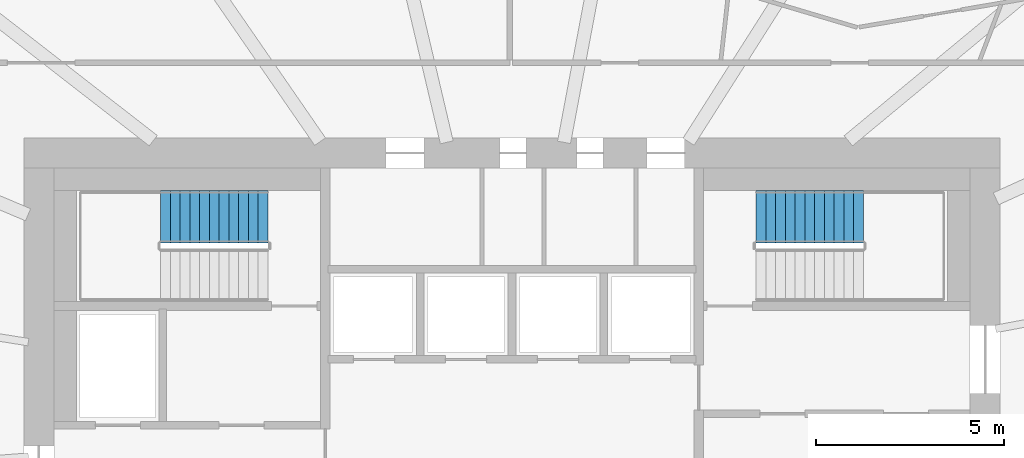
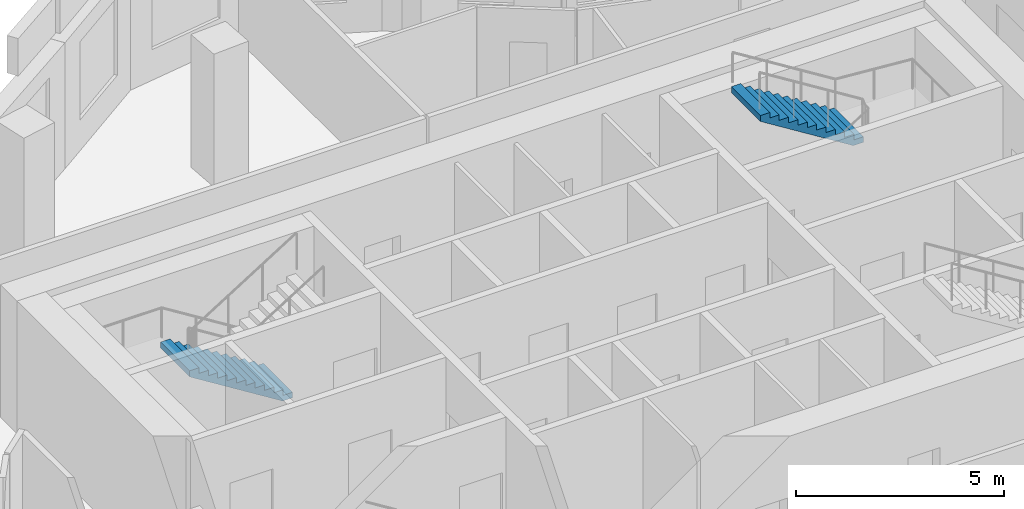
# One storey, part 10 of 11: 2 stair flights, 2 elements without a shape of their own.
"""IFC4 building model written with IfcOpenShell, lengths in metres."""

from ifc_helpers import new_model, si_unit, direction, frame, origin, place, context, subcontext, project, spatial, polyline, outline, extrude, material, type_object, element, aggregate, save


model = new_model("IFC4")

# Units and contexts
model_context = context("Model", 3, precision=1e-05, world=origin(), true_north=direction((0.0, 1.0)))
body_context = subcontext(model_context, "Body", "Model", "MODEL_VIEW")
ifc_project = project(units=[si_unit("LENGTHUNIT", "METRE"), si_unit("AREAUNIT", "SQUARE_METRE"), si_unit("VOLUMEUNIT", "CUBIC_METRE"), si_unit("PLANEANGLEUNIT", "RADIAN"), si_unit("MASSUNIT", "GRAM", prefix="KILO")], contexts=[model_context])

# Site, building, storey
site_placement = place(None, origin())
site = spatial("IfcSite", under=ifc_project, at=site_placement, CompositionType="ELEMENT")
building_placement = place(site_placement, origin())
building = spatial("IfcBuilding", under=site, at=building_placement, Name="Rubra Terraces Tower", CompositionType="ELEMENT")
storey_placement = place(building_placement, frame((0.0, 0.0, 185.699951171875)))
storey = spatial("IfcBuildingStorey", under=building, at=storey_placement, Name="L45", CompositionType="ELEMENT", Elevation=185.699951171875)

# Stair, stair flight
ifc_material = material(Name="Concrete C40", Category="concrete")
stair_type = type_object("IfcStairType", Name="Core stair 1400", PredefinedType="HALF_TURN_STAIR", material=ifc_material)
stair_1_placement = place(storey_placement, origin())
stair_1 = element("IfcStair", 1, at=stair_1_placement, inside=storey, type_object=stair_type, Name="L45 Exit stair S2", PredefinedType="HALF_TURN_STAIR")
stair_flight_type = type_object("IfcStairFlightType", Name="Core stair flight 1400", PredefinedType="STRAIGHT", material=ifc_material)
stair_flight_1_placement = place(storey_placement, frame((-6.5, 9.89990234375, 0.0), z_axis=(0.0, 0.0, 1.0), x_axis=(-1.0, 0.0, 0.0)))
stair_flight_1 = element("IfcStairFlight", 2, at=stair_flight_1_placement, type_object=stair_flight_type, Name="S2 flight 1", NumberOfRisers=12, NumberOfTreads=11, PredefinedType="STRAIGHT", RiserHeight=0.1625, TreadLength=0.26, context=body_context, shape_type="SweptSolid", body=[
    extrude(outline(polyline([(0.0, 0.0), (0.0, 0.16259765625), (0.260009765625, 0.16259765625), (0.260009765625, 0.324951171875), (0.52001953125, 0.324951171875), (0.52001953125, 0.487548828125), (0.780029296875, 0.487548828125), (0.780029296875, 0.64990234375), (1.0400390625, 0.64990234375), (1.0400390625, 0.8125), (1.300048828125, 0.8125), (1.300048828125, 0.97509765625), (1.56005859375, 0.97509765625), (1.56005859375, 1.137451171875), (1.820068359375, 1.137451171875), (1.820068359375, 1.300048828125), (2.080078125, 1.300048828125), (2.080078125, 1.46240234375), (2.340087890625, 1.46240234375), (2.340087890625, 1.625), (2.60009765625, 1.625), (2.60009765625, 1.78759765625), (2.860107421875, 1.78759765625), (2.860107421875, 1.949951171875), (2.860107421875, 1.61083984375), (0.28271484375, 0.0), (0.0, 0.0)])), frame((0.0, 0.699951171875, 0.0), z_axis=(0.0, -1.0, 0.0), x_axis=(1.0, 0.0, 0.0)), (0.0, 0.0, 1.0), 1.39990234375),
])
aggregate(stair_1, [stair_flight_1])

stair_2_placement = place(storey_placement, origin())
stair_2 = element("IfcStair", 3, at=stair_2_placement, inside=storey, type_object=stair_type, Name="L45 Exit stair S3", PredefinedType="HALF_TURN_STAIR")
stair_flight_2_placement = place(storey_placement, frame((9.360107421875, 9.89990234375, 1.949951171875), z_axis=(0.0, 0.0, 1.0), x_axis=(-1.0, 0.0, 0.0)))
stair_flight_2 = element("IfcStairFlight", 4, at=stair_flight_2_placement, type_object=stair_flight_type, Name="S3 flight 2", NumberOfRisers=12, NumberOfTreads=11, PredefinedType="STRAIGHT", RiserHeight=0.1625, TreadLength=0.26, context=body_context, shape_type="SweptSolid", body=[
    extrude(outline(polyline([(0.0, 0.0), (0.0, 0.16259765625), (0.260009765625, 0.16259765625), (0.260009765625, 0.324951171875), (0.52001953125, 0.324951171875), (0.52001953125, 0.487548828125), (0.780029296875, 0.487548828125), (0.780029296875, 0.64990234375), (1.0400390625, 0.64990234375), (1.0400390625, 0.8125), (1.300048828125, 0.8125), (1.300048828125, 0.97509765625), (1.56005859375, 0.97509765625), (1.56005859375, 1.137451171875), (1.820068359375, 1.137451171875), (1.820068359375, 1.300048828125), (2.080078125, 1.300048828125), (2.080078125, 1.46240234375), (2.340087890625, 1.46240234375), (2.340087890625, 1.625), (2.60009765625, 1.625), (2.60009765625, 1.78759765625), (2.860107421875, 1.78759765625), (2.860107421875, 1.949951171875), (2.860107421875, 1.61083984375), (0.28271484375, 0.0), (0.0, 0.0)])), frame((0.0, 0.699951171875, 0.0), z_axis=(0.0, -1.0, 0.0), x_axis=(1.0, 0.0, 0.0)), (0.0, 0.0, 1.0), 1.39990234375),
])
aggregate(stair_2, [stair_flight_2])

save(model, "model.ifc")
